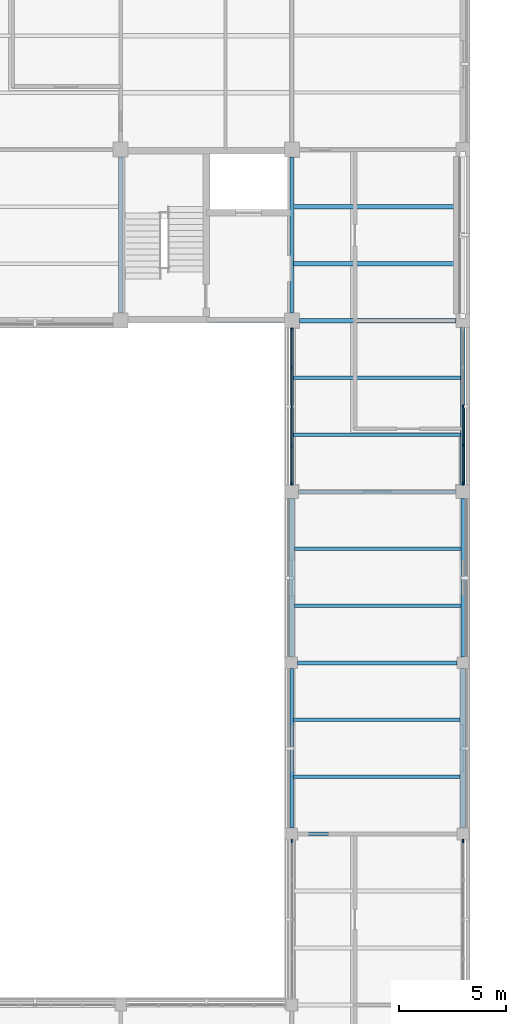
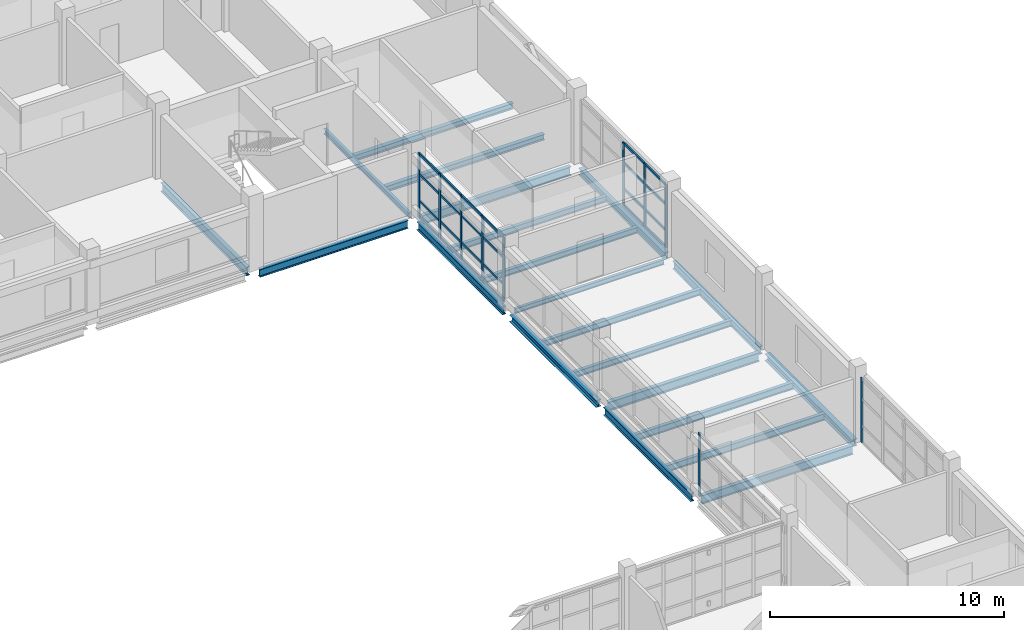
# One storey, part 43 of 92: 34 members, 21 beams, 4 elements without a shape of their own.
"""IFC4 building model written with IfcOpenShell, lengths in metres."""

from ifc_helpers import new_model, si_unit, derived_unit, direction, frame, origin, origin_2d, place, context, subcontext, project, spatial, rectangle, i_section, extrude, material, layer, layer_set, material_profile, profile_set, type_object, element, aggregate, save


model = new_model("IFC4")

# Units and contexts
model_context = context("Model", 3, precision=1e-05, world=origin(), true_north=direction((0.0, 1.0)))
body_context = subcontext(model_context, "Body", "Model", "MODEL_VIEW")
ifc_project = project(units=[si_unit("LENGTHUNIT", "METRE"), si_unit("AREAUNIT", "SQUARE_METRE"), si_unit("VOLUMEUNIT", "CUBIC_METRE"), si_unit("PLANEANGLEUNIT", "RADIAN"), si_unit("MASSUNIT", "GRAM", prefix="KILO"), derived_unit("THERMALTRANSMITTANCEUNIT", [(si_unit("MASSUNIT", "GRAM", prefix="KILO"), 1), (si_unit("TIMEUNIT", "SECOND"), -3), (si_unit("THERMODYNAMICTEMPERATUREUNIT", "KELVIN"), -1)])], contexts=[model_context])

# Site, building, storey
site_placement = place(None, origin())
site = spatial("IfcSite", under=ifc_project, at=site_placement, CompositionType="ELEMENT")
building_placement = place(site_placement, origin())
building = spatial("IfcBuilding", under=site, at=building_placement, Name="Veyamyaing Civic Hall", CompositionType="ELEMENT")
storey_placement = place(building_placement, frame((0.0, 0.0, 17.820068359375)))
storey = spatial("IfcBuildingStorey", under=building, at=storey_placement, Name="L04", CompositionType="ELEMENT", Elevation=17.820068359375)

# Beams
ifc_material_1 = material(Name="Steel ASTM A992", Category="steel")
ifc_material_profile_1 = material_profile(ifc_material_1, i_section(OverallWidth=0.19189453125, OverallDepth=0.462890625, WebThickness=0.010498046875, FlangeThickness=0.017578125, FilletRadius=0.010009765625, at=origin_2d()), Name="W460X89")
ifc_profile_set_1 = profile_set([ifc_material_profile_1], Name="Steel ASTM A992")
beam_type_1 = type_object("IfcBeamType", Name="B-08", PredefinedType="BEAM", material=ifc_profile_set_1)
beam_1_placement = place(storey_placement, frame((168.35009765625, 88.0, -0.466552734375), z_axis=(1.0, 0.0, 0.0), x_axis=(0.0, 1.0, 0.0)))
element("IfcBeam", 1, at=beam_1_placement, inside=storey, type_object=beam_type_1, Name="Girder B-08 L04 Grid M 22-23", PredefinedType="BEAM", context=body_context, shape_type="SweptSolid", body=[
    extrude(i_section(OverallWidth=0.19189453125, OverallDepth=0.462890625, WebThickness=0.010498046875, FlangeThickness=0.017578125, FilletRadius=0.010009765625, at=origin_2d()), origin(), (0.0, 0.0, 1.0), 7.324951171875),
])
ifc_material_profile_2 = material_profile(ifc_material_1, i_section(OverallWidth=0.18994140625, OverallDepth=0.45703125, WebThickness=0.009033203125, FlangeThickness=0.014404296875, FilletRadius=0.010009765625, at=origin_2d()), Name="W460X74")
ifc_profile_set_2 = profile_set([ifc_material_profile_2], Name="Steel ASTM A992")
beam_type_2 = type_object("IfcBeamType", Name="B-09", PredefinedType="BEAM", material=ifc_profile_set_2)
beam_2_placement = place(storey_placement, frame((168.27490234375, 64.0, -0.463623046875), z_axis=(1.0, 0.0, 0.0), x_axis=(0.0, 1.0, 0.0)))
element("IfcBeam", 2, at=beam_2_placement, inside=storey, type_object=beam_type_2, Name="Girder B-09 L04 Grid J 22-23", PredefinedType="BEAM", context=body_context, shape_type="SweptSolid", body=[
    extrude(i_section(OverallWidth=0.18994140625, OverallDepth=0.45703125, WebThickness=0.009033203125, FlangeThickness=0.014404296875, FilletRadius=0.010009765625, at=origin_2d()), origin(), (0.0, 0.0, 1.0), 7.4501953125),
])
beam_3_placement = place(storey_placement, frame((160.0, 88.35009765625, -0.463623046875), z_axis=(0.0, 1.0, 0.0), x_axis=(-1.0, 0.0, 0.0)))
element("IfcBeam", 3, at=beam_3_placement, inside=storey, type_object=beam_type_2, Name="Girder B-09 L04 Grid 21 M-N", PredefinedType="BEAM", context=body_context, shape_type="SweptSolid", body=[
    extrude(i_section(OverallWidth=0.18994140625, OverallDepth=0.45703125, WebThickness=0.009033203125, FlangeThickness=0.014404296875, FilletRadius=0.010009765625, at=origin_2d()), origin(), (0.0, 0.0, 1.0), 7.2998046875),
])
ifc_material_profile_3 = material_profile(ifc_material_1, i_section(OverallWidth=0.179931640625, OverallDepth=0.4130859375, WebThickness=0.009765625, FlangeThickness=0.01611328125, FilletRadius=0.010009765625, at=origin_2d()), Name="W410X74")
ifc_profile_set_3 = profile_set([ifc_material_profile_3], Name="Steel ASTM A992")
beam_type_3 = type_object("IfcBeamType", Name="B-10", PredefinedType="SPANDREL", material=ifc_profile_set_3)
beam_4_placement = place(storey_placement, frame((160.35009765625, 88.0, -0.441650390625), z_axis=(1.0, 0.0, 0.0), x_axis=(0.0, 1.0, 0.0)))
element("IfcBeam", 4, at=beam_4_placement, inside=storey, type_object=beam_type_3, Name="Girder B-10 L04 Grid M 21-22", PredefinedType="SPANDREL", context=body_context, shape_type="SweptSolid", body=[
    extrude(i_section(OverallWidth=0.179931640625, OverallDepth=0.4130859375, WebThickness=0.009765625, FlangeThickness=0.01611328125, FilletRadius=0.010009765625, at=origin_2d()), origin(), (0.0, 0.0, 1.0), 7.2998046875),
])
beam_5_placement = place(storey_placement, frame((168.0, 80.324951171875, -0.441650390625), z_axis=(0.0, 1.0, 0.0), x_axis=(-1.0, 0.0, 0.0)))
element("IfcBeam", 5, at=beam_5_placement, inside=storey, type_object=beam_type_3, Name="Girder B-10 L04 Grid 22 L-M", PredefinedType="SPANDREL", context=body_context, shape_type="SweptSolid", body=[
    extrude(i_section(OverallWidth=0.179931640625, OverallDepth=0.4130859375, WebThickness=0.009765625, FlangeThickness=0.01611328125, FilletRadius=0.010009765625, at=origin_2d()), origin(), (0.0, 0.0, 1.0), 7.324951171875),
])
beam_6_placement = place(storey_placement, frame((176.0, 72.27490234375, -0.441650390625), z_axis=(0.0, 1.0, 0.0), x_axis=(-1.0, 0.0, 0.0)))
element("IfcBeam", 6, at=beam_6_placement, inside=storey, type_object=beam_type_3, Name="Girder B-10 L04 Grid 23 K-L", PredefinedType="SPANDREL", context=body_context, shape_type="SweptSolid", body=[
    extrude(i_section(OverallWidth=0.179931640625, OverallDepth=0.4130859375, WebThickness=0.009765625, FlangeThickness=0.01611328125, FilletRadius=0.010009765625, at=origin_2d()), origin(), (0.0, 0.0, 1.0), 7.400146484375),
])
ifc_material_profile_4 = material_profile(ifc_material_1, i_section(OverallWidth=0.2041015625, OverallDepth=0.35009765625, WebThickness=0.0078125, FlangeThickness=0.01513671875, FilletRadius=0.010009765625, at=origin_2d()), Name="W360X72")
ifc_profile_set_4 = profile_set([ifc_material_profile_4], Name="Steel ASTM A992")
beam_type_4 = type_object("IfcBeamType", Name="B-11", PredefinedType="SPANDREL", material=ifc_profile_set_4)
beam_7_placement = place(storey_placement, frame((176.0, 80.324951171875, -0.41015625), z_axis=(0.0, 1.0, 0.0), x_axis=(-1.0, 0.0, 0.0)))
element("IfcBeam", 7, at=beam_7_placement, inside=storey, type_object=beam_type_4, Name="Girder B-11 L04 Grid 23 L-M", PredefinedType="SPANDREL", context=body_context, shape_type="SweptSolid", body=[
    extrude(i_section(OverallWidth=0.2041015625, OverallDepth=0.35009765625, WebThickness=0.0078125, FlangeThickness=0.01513671875, FilletRadius=0.010009765625, at=origin_2d()), origin(), (0.0, 0.0, 1.0), 7.35009765625),
])
ifc_material_profile_5 = material_profile(ifc_material_1, i_section(OverallWidth=0.14599609375, OverallDepth=0.258056640625, WebThickness=0.006103515625, FlangeThickness=0.009033203125, FilletRadius=0.010009765625, at=origin_2d()), Name="W250X33")
ifc_profile_set_5 = profile_set([ifc_material_profile_5], Name="Steel ASTM A992")
beam_type_5 = type_object("IfcBeamType", Name="B-12", PredefinedType="BEAM", material=ifc_profile_set_5)
beam_8_placement = place(storey_placement, frame((168.324951171875, 80.0, -0.364013671875), z_axis=(1.0, 0.0, 0.0), x_axis=(0.0, 1.0, 0.0)))
element("IfcBeam", 8, at=beam_8_placement, inside=storey, type_object=beam_type_5, Name="Girder B-12 L04 Grid L 22-23", PredefinedType="BEAM", context=body_context, shape_type="SweptSolid", body=[
    extrude(i_section(OverallWidth=0.14599609375, OverallDepth=0.258056640625, WebThickness=0.006103515625, FlangeThickness=0.009033203125, FilletRadius=0.010009765625, at=origin_2d()), origin(), (0.0, 0.0, 1.0), 7.35009765625),
])
beam_9_placement = place(storey_placement, frame((168.0, 88.35009765625, -0.364013671875), z_axis=(0.0, 1.0, 0.0), x_axis=(-1.0, 0.0, 0.0)))
element("IfcBeam", 9, at=beam_9_placement, inside=storey, type_object=beam_type_5, Name="Girder B-12 L04 Grid 22 M-N", PredefinedType="BEAM", context=body_context, shape_type="SweptSolid", body=[
    extrude(i_section(OverallWidth=0.14599609375, OverallDepth=0.258056640625, WebThickness=0.006103515625, FlangeThickness=0.009033203125, FilletRadius=0.010009765625, at=origin_2d()), origin(), (0.0, 0.0, 1.0), 7.2998046875),
])
ifc_material_profile_6 = material_profile(ifc_material_1, i_section(OverallWidth=0.194091796875, OverallDepth=0.468994140625, WebThickness=0.0126953125, FlangeThickness=0.0205078125, FilletRadius=0.010009765625, at=origin_2d()), Name="W460X106")
ifc_profile_set_6 = profile_set([ifc_material_profile_6], Name="Steel ASTM A992")
beam_type_6 = type_object("IfcBeamType", Name="B-18", PredefinedType="BEAM", material=ifc_profile_set_6)
beam_10_placement = place(storey_placement, frame((168.27490234375, 72.0, -0.469482421875), z_axis=(1.0, 0.0, 0.0), x_axis=(0.0, 1.0, 0.0)))
element("IfcBeam", 10, at=beam_10_placement, inside=storey, type_object=beam_type_6, Name="Girder B-18 L04 Grid K 22-23", PredefinedType="BEAM", context=body_context, shape_type="SweptSolid", body=[
    extrude(i_section(OverallWidth=0.194091796875, OverallDepth=0.468994140625, WebThickness=0.0126953125, FlangeThickness=0.0205078125, FilletRadius=0.010009765625, at=origin_2d()), origin(), (0.0, 0.0, 1.0), 7.4501953125),
])
ifc_material_profile_7 = material_profile(ifc_material_1, i_section(OverallWidth=0.180908203125, OverallDepth=0.4169921875, WebThickness=0.010986328125, FlangeThickness=0.018310546875, FilletRadius=0.010009765625, at=origin_2d()), Name="W410X85")
ifc_profile_set_7 = profile_set([ifc_material_profile_7], Name="Steel ASTM A992")
beam_type_7 = type_object("IfcBeamType", Name="B-19", PredefinedType="SPANDREL", material=ifc_profile_set_7)
beam_11_placement = place(storey_placement, frame((168.0, 64.27490234375, -0.443603515625), z_axis=(0.0, 1.0, 0.0), x_axis=(-1.0, 0.0, 0.0)))
element("IfcBeam", 11, at=beam_11_placement, inside=storey, type_object=beam_type_7, Name="Girder B-19 L04 Grid 22 J-K", PredefinedType="SPANDREL", context=body_context, shape_type="SweptSolid", body=[
    extrude(i_section(OverallWidth=0.180908203125, OverallDepth=0.4169921875, WebThickness=0.010986328125, FlangeThickness=0.018310546875, FilletRadius=0.010009765625, at=origin_2d()), origin(), (0.0, 0.0, 1.0), 7.4501953125),
])
ifc_material_profile_8 = material_profile(ifc_material_1, i_section(OverallWidth=0.25390625, OverallDepth=0.35302734375, WebThickness=0.009521484375, FlangeThickness=0.016357421875, FilletRadius=0.011962890625, at=origin_2d()), Name="W360X91")
ifc_profile_set_8 = profile_set([ifc_material_profile_8], Name="Steel ASTM A992")
beam_type_8 = type_object("IfcBeamType", Name="B-20", PredefinedType="SPANDREL", material=ifc_profile_set_8)
beam_12_placement = place(storey_placement, frame((168.0, 72.27490234375, -0.41162109375), z_axis=(0.0, 1.0, 0.0), x_axis=(-1.0, 0.0, 0.0)))
element("IfcBeam", 12, at=beam_12_placement, inside=storey, type_object=beam_type_8, Name="Girder B-20 L04 Grid 22 K-L", PredefinedType="SPANDREL", context=body_context, shape_type="SweptSolid", body=[
    extrude(i_section(OverallWidth=0.25390625, OverallDepth=0.35302734375, WebThickness=0.009521484375, FlangeThickness=0.016357421875, FilletRadius=0.011962890625, at=origin_2d()), origin(), (0.0, 0.0, 1.0), 7.400146484375),
])
beam_13_placement = place(storey_placement, frame((176.0, 64.27490234375, -0.41162109375), z_axis=(0.0, 1.0, 0.0), x_axis=(-1.0, 0.0, 0.0)))
element("IfcBeam", 13, at=beam_13_placement, inside=storey, type_object=beam_type_8, Name="Girder B-20 L04 Grid 23 J-K", PredefinedType="SPANDREL", context=body_context, shape_type="SweptSolid", body=[
    extrude(i_section(OverallWidth=0.25390625, OverallDepth=0.35302734375, WebThickness=0.009521484375, FlangeThickness=0.016357421875, FilletRadius=0.011962890625, at=origin_2d()), origin(), (0.0, 0.0, 1.0), 7.4501953125),
])

# Curtain wall, member
ifc_material_2 = material(Name="Anodised aluminium 6063-T6", Category="aluminium")
ifc_layer = layer(ifc_material_2, 0.159912109375, Name="Anodised aluminium 6063-T6")
ifc_layer_set = layer_set([ifc_layer], Name="Anodised aluminium 6063-T6")
curtain_wall_type = type_object("IfcCurtainWallType", Name="CW-08", PredefinedType="NOTDEFINED", material=ifc_layer_set)
curtain_wall_1_placement = place(storey_placement, origin())
curtain_wall_1 = element("IfcCurtainWall", 14, at=curtain_wall_1_placement, inside=storey, type_object=curtain_wall_type, Name="Unitized curtain wall CW-08 L04 W 22.8", PredefinedType="NOTDEFINED")
ifc_material_profile_9 = material_profile(ifc_material_2, rectangle(XDim=0.06494140625, YDim=0.159912109375, at=origin_2d()), Name="ALU-MUL-65X160")
ifc_profile_set_9 = profile_set([ifc_material_profile_9], Name="Anodised aluminium 6063-T6")
member_type_1 = type_object("IfcMemberType", Name="CWM-01", PredefinedType="MULLION", material=ifc_profile_set_9)
member_1_placement = place(storey_placement, frame((168.0, 63.66259765625, 0.0), z_axis=(0.0, 0.0, 1.0), x_axis=(-1.0, 0.0, 0.0)))
member_1 = element("IfcMember", 15, at=member_1_placement, type_object=member_type_1, Name="CW-08 mullion 5", PredefinedType="MULLION", context=body_context, shape_type="SweptSolid", body=[
    extrude(rectangle(XDim=0.06494140625, YDim=0.159912109375, at=origin_2d()), origin(), (0.0, 0.0, 1.0), 3.284912109375),
])
aggregate(curtain_wall_1, [member_1])

curtain_wall_2_placement = place(storey_placement, origin())
curtain_wall_2 = element("IfcCurtainWall", 16, at=curtain_wall_2_placement, inside=storey, type_object=curtain_wall_type, Name="Unitized curtain wall CW-08 L04 E 22.8", PredefinedType="NOTDEFINED")
member_2_placement = place(storey_placement, frame((176.0, 63.66259765625, 0.0), z_axis=(0.0, 0.0, 1.0), x_axis=(-1.0, 0.0, 0.0)))
member_2 = element("IfcMember", 17, at=member_2_placement, type_object=member_type_1, Name="CW-08 mullion 5", PredefinedType="MULLION", context=body_context, shape_type="SweptSolid", body=[
    extrude(rectangle(XDim=0.06494140625, YDim=0.159912109375, at=origin_2d()), origin(), (0.0, 0.0, 1.0), 3.348876953125),
])
aggregate(curtain_wall_2, [member_2])

# Curtain wall, members
curtain_wall_3_placement = place(storey_placement, origin())
curtain_wall_3 = element("IfcCurtainWall", 18, at=curtain_wall_3_placement, inside=storey, type_object=curtain_wall_type, Name="Unitized curtain wall CW-08 L04 W 22.11", PredefinedType="NOTDEFINED")
member_3_placement = place(storey_placement, frame((168.0, 80.387451171875, 0.0), z_axis=(0.0, 0.0, 1.0), x_axis=(-1.0, 0.0, 0.0)))
member_3 = element("IfcMember", 19, at=member_3_placement, type_object=member_type_1, Name="CW-08 mullion 1", PredefinedType="MULLION", context=body_context, shape_type="SweptSolid", body=[
    extrude(rectangle(XDim=0.06494140625, YDim=0.159912109375, at=origin_2d()), origin(), (0.0, 0.0, 1.0), 3.371826171875),
])
member_4_placement = place(storey_placement, frame((168.0, 82.171142578125, 0.0), z_axis=(0.0, 0.0, 1.0), x_axis=(-1.0, 0.0, 0.0)))
member_4 = element("IfcMember", 20, at=member_4_placement, type_object=member_type_1, Name="CW-08 mullion 2", PredefinedType="MULLION", context=body_context, shape_type="SweptSolid", body=[
    extrude(rectangle(XDim=0.06494140625, YDim=0.159912109375, at=origin_2d()), origin(), (0.0, 0.0, 1.0), 3.371826171875),
])
member_5_placement = place(storey_placement, frame((168.0, 83.987548828125, 0.0), z_axis=(0.0, 0.0, 1.0), x_axis=(-1.0, 0.0, 0.0)))
member_5 = element("IfcMember", 21, at=member_5_placement, type_object=member_type_1, Name="CW-08 mullion 3", PredefinedType="MULLION", context=body_context, shape_type="SweptSolid", body=[
    extrude(rectangle(XDim=0.06494140625, YDim=0.159912109375, at=origin_2d()), origin(), (0.0, 0.0, 1.0), 3.371826171875),
])
member_6_placement = place(storey_placement, frame((168.0, 85.8037109375, 0.0), z_axis=(0.0, 0.0, 1.0), x_axis=(-1.0, 0.0, 0.0)))
member_6 = element("IfcMember", 22, at=member_6_placement, type_object=member_type_1, Name="CW-08 mullion 4", PredefinedType="MULLION", context=body_context, shape_type="SweptSolid", body=[
    extrude(rectangle(XDim=0.06494140625, YDim=0.159912109375, at=origin_2d()), origin(), (0.0, 0.0, 1.0), 3.371826171875),
])
member_7_placement = place(storey_placement, frame((168.0, 87.58740234375, 0.0), z_axis=(0.0, 0.0, 1.0), x_axis=(-1.0, 0.0, 0.0)))
member_7 = element("IfcMember", 23, at=member_7_placement, type_object=member_type_1, Name="CW-08 mullion 5", PredefinedType="MULLION", context=body_context, shape_type="SweptSolid", body=[
    extrude(rectangle(XDim=0.06494140625, YDim=0.159912109375, at=origin_2d()), origin(), (0.0, 0.0, 1.0), 3.371826171875),
])

curtain_wall_4_placement = place(storey_placement, origin())
curtain_wall_4 = element("IfcCurtainWall", 24, at=curtain_wall_4_placement, inside=storey, type_object=curtain_wall_type, Name="Unitized curtain wall CW-08 L04 E 22.11", PredefinedType="NOTDEFINED")
member_8_placement = place(storey_placement, frame((176.0, 80.387451171875, 0.0), z_axis=(0.0, 0.0, 1.0), x_axis=(-1.0, 0.0, 0.0)))
member_8 = element("IfcMember", 25, at=member_8_placement, type_object=member_type_1, Name="CW-08 mullion 1", PredefinedType="MULLION", context=body_context, shape_type="SweptSolid", body=[
    extrude(rectangle(XDim=0.06494140625, YDim=0.159912109375, at=origin_2d()), origin(), (0.0, 0.0, 1.0), 3.304931640625),
])
member_9_placement = place(storey_placement, frame((176.0, 82.177490234375, 0.0), z_axis=(0.0, 0.0, 1.0), x_axis=(-1.0, 0.0, 0.0)))
member_9 = element("IfcMember", 26, at=member_9_placement, type_object=member_type_1, Name="CW-08 mullion 2", PredefinedType="MULLION", context=body_context, shape_type="SweptSolid", body=[
    extrude(rectangle(XDim=0.06494140625, YDim=0.159912109375, at=origin_2d()), origin(), (0.0, 0.0, 1.0), 3.304931640625),
])
member_10_placement = place(storey_placement, frame((176.0, 84.0, 0.0), z_axis=(0.0, 0.0, 1.0), x_axis=(-1.0, 0.0, 0.0)))
member_10 = element("IfcMember", 27, at=member_10_placement, type_object=member_type_1, Name="CW-08 mullion 3", PredefinedType="MULLION", context=body_context, shape_type="SweptSolid", body=[
    extrude(rectangle(XDim=0.06494140625, YDim=0.159912109375, at=origin_2d()), origin(), (0.0, 0.0, 1.0), 3.304931640625),
])

# Member
ifc_material_profile_10 = material_profile(ifc_material_2, rectangle(XDim=0.06494140625, YDim=0.1201171875, at=origin_2d()), Name="ALU-TRN-65X120")
ifc_profile_set_10 = profile_set([ifc_material_profile_10], Name="Anodised aluminium 6063-T6")
member_type_2 = type_object("IfcMemberType", Name="CWT-01", PredefinedType="USERDEFINED", material=ifc_profile_set_10)
member_11_placement = place(storey_placement, frame((168.0, 80.419921875, 0.032470703125), z_axis=(0.0, 1.0, 0.0), x_axis=(-1.0, 0.0, 0.0)))
member_11 = element("IfcMember", 28, at=member_11_placement, type_object=member_type_2, Name="CW-08 transom 1.1", ObjectType="TRANSOM", PredefinedType="USERDEFINED", context=body_context, shape_type="SweptSolid", body=[
    extrude(rectangle(XDim=0.06494140625, YDim=0.1201171875, at=origin_2d()), origin(), (0.0, 0.0, 1.0), 1.71875),
])

member_12_placement = place(storey_placement, frame((168.0, 80.419921875, 0.89990234375), z_axis=(0.0, 1.0, 0.0), x_axis=(-1.0, 0.0, 0.0)))
member_12 = element("IfcMember", 29, at=member_12_placement, type_object=member_type_2, Name="CW-08 transom 1.2", ObjectType="TRANSOM", PredefinedType="USERDEFINED", context=body_context, shape_type="SweptSolid", body=[
    extrude(rectangle(XDim=0.06494140625, YDim=0.1201171875, at=origin_2d()), origin(), (0.0, 0.0, 1.0), 1.71875),
])

member_13_placement = place(storey_placement, frame((168.0, 80.419921875, 2.29296875), z_axis=(0.0, 1.0, 0.0), x_axis=(-1.0, 0.0, 0.0)))
member_13 = element("IfcMember", 30, at=member_13_placement, type_object=member_type_2, Name="CW-08 transom 1.3", ObjectType="TRANSOM", PredefinedType="USERDEFINED", context=body_context, shape_type="SweptSolid", body=[
    extrude(rectangle(XDim=0.06494140625, YDim=0.1201171875, at=origin_2d()), origin(), (0.0, 0.0, 1.0), 1.71875),
])

member_14_placement = place(storey_placement, frame((168.0, 80.419921875, 3.33935546875), z_axis=(0.0, 1.0, 0.0), x_axis=(-1.0, 0.0, 0.0)))
member_14 = element("IfcMember", 31, at=member_14_placement, type_object=member_type_2, Name="CW-08 transom 1.4", ObjectType="TRANSOM", PredefinedType="USERDEFINED", context=body_context, shape_type="SweptSolid", body=[
    extrude(rectangle(XDim=0.06494140625, YDim=0.1201171875, at=origin_2d()), origin(), (0.0, 0.0, 1.0), 1.71875),
])

member_15_placement = place(storey_placement, frame((168.0, 82.203857421875, 0.032470703125), z_axis=(0.0, 1.0, 0.0), x_axis=(-1.0, 0.0, 0.0)))
member_15 = element("IfcMember", 32, at=member_15_placement, type_object=member_type_2, Name="CW-08 transom 2.1", ObjectType="TRANSOM", PredefinedType="USERDEFINED", context=body_context, shape_type="SweptSolid", body=[
    extrude(rectangle(XDim=0.06494140625, YDim=0.1201171875, at=origin_2d()), origin(), (0.0, 0.0, 1.0), 1.751220703125),
])

member_16_placement = place(storey_placement, frame((168.0, 82.203857421875, 0.89990234375), z_axis=(0.0, 1.0, 0.0), x_axis=(-1.0, 0.0, 0.0)))
member_16 = element("IfcMember", 33, at=member_16_placement, type_object=member_type_2, Name="CW-08 transom 2.2", ObjectType="TRANSOM", PredefinedType="USERDEFINED", context=body_context, shape_type="SweptSolid", body=[
    extrude(rectangle(XDim=0.06494140625, YDim=0.1201171875, at=origin_2d()), origin(), (0.0, 0.0, 1.0), 1.751220703125),
])

member_17_placement = place(storey_placement, frame((168.0, 82.203857421875, 2.29296875), z_axis=(0.0, 1.0, 0.0), x_axis=(-1.0, 0.0, 0.0)))
member_17 = element("IfcMember", 34, at=member_17_placement, type_object=member_type_2, Name="CW-08 transom 2.3", ObjectType="TRANSOM", PredefinedType="USERDEFINED", context=body_context, shape_type="SweptSolid", body=[
    extrude(rectangle(XDim=0.06494140625, YDim=0.1201171875, at=origin_2d()), origin(), (0.0, 0.0, 1.0), 1.751220703125),
])

member_18_placement = place(storey_placement, frame((168.0, 82.203857421875, 3.33935546875), z_axis=(0.0, 1.0, 0.0), x_axis=(-1.0, 0.0, 0.0)))
member_18 = element("IfcMember", 35, at=member_18_placement, type_object=member_type_2, Name="CW-08 transom 2.4", ObjectType="TRANSOM", PredefinedType="USERDEFINED", context=body_context, shape_type="SweptSolid", body=[
    extrude(rectangle(XDim=0.06494140625, YDim=0.1201171875, at=origin_2d()), origin(), (0.0, 0.0, 1.0), 1.751220703125),
])

member_19_placement = place(storey_placement, frame((168.0, 84.02001953125, 0.032470703125), z_axis=(0.0, 1.0, 0.0), x_axis=(-1.0, 0.0, 0.0)))
member_19 = element("IfcMember", 36, at=member_19_placement, type_object=member_type_2, Name="CW-08 transom 3.1", ObjectType="TRANSOM", PredefinedType="USERDEFINED", context=body_context, shape_type="SweptSolid", body=[
    extrude(rectangle(XDim=0.06494140625, YDim=0.1201171875, at=origin_2d()), origin(), (0.0, 0.0, 1.0), 1.751220703125),
])

member_20_placement = place(storey_placement, frame((168.0, 84.02001953125, 0.89990234375), z_axis=(0.0, 1.0, 0.0), x_axis=(-1.0, 0.0, 0.0)))
member_20 = element("IfcMember", 37, at=member_20_placement, type_object=member_type_2, Name="CW-08 transom 3.2", ObjectType="TRANSOM", PredefinedType="USERDEFINED", context=body_context, shape_type="SweptSolid", body=[
    extrude(rectangle(XDim=0.06494140625, YDim=0.1201171875, at=origin_2d()), origin(), (0.0, 0.0, 1.0), 1.751220703125),
])

member_21_placement = place(storey_placement, frame((168.0, 84.02001953125, 2.29296875), z_axis=(0.0, 1.0, 0.0), x_axis=(-1.0, 0.0, 0.0)))
member_21 = element("IfcMember", 38, at=member_21_placement, type_object=member_type_2, Name="CW-08 transom 3.3", ObjectType="TRANSOM", PredefinedType="USERDEFINED", context=body_context, shape_type="SweptSolid", body=[
    extrude(rectangle(XDim=0.06494140625, YDim=0.1201171875, at=origin_2d()), origin(), (0.0, 0.0, 1.0), 1.751220703125),
])

member_22_placement = place(storey_placement, frame((168.0, 84.02001953125, 3.33935546875), z_axis=(0.0, 1.0, 0.0), x_axis=(-1.0, 0.0, 0.0)))
member_22 = element("IfcMember", 39, at=member_22_placement, type_object=member_type_2, Name="CW-08 transom 3.4", ObjectType="TRANSOM", PredefinedType="USERDEFINED", context=body_context, shape_type="SweptSolid", body=[
    extrude(rectangle(XDim=0.06494140625, YDim=0.1201171875, at=origin_2d()), origin(), (0.0, 0.0, 1.0), 1.751220703125),
])

member_23_placement = place(storey_placement, frame((168.0, 85.836181640625, 0.032470703125), z_axis=(0.0, 1.0, 0.0), x_axis=(-1.0, 0.0, 0.0)))
member_23 = element("IfcMember", 40, at=member_23_placement, type_object=member_type_2, Name="CW-08 transom 4.1", ObjectType="TRANSOM", PredefinedType="USERDEFINED", context=body_context, shape_type="SweptSolid", body=[
    extrude(rectangle(XDim=0.06494140625, YDim=0.1201171875, at=origin_2d()), origin(), (0.0, 0.0, 1.0), 1.71875),
])

member_24_placement = place(storey_placement, frame((168.0, 85.836181640625, 0.89990234375), z_axis=(0.0, 1.0, 0.0), x_axis=(-1.0, 0.0, 0.0)))
member_24 = element("IfcMember", 41, at=member_24_placement, type_object=member_type_2, Name="CW-08 transom 4.2", ObjectType="TRANSOM", PredefinedType="USERDEFINED", context=body_context, shape_type="SweptSolid", body=[
    extrude(rectangle(XDim=0.06494140625, YDim=0.1201171875, at=origin_2d()), origin(), (0.0, 0.0, 1.0), 1.71875),
])

member_25_placement = place(storey_placement, frame((168.0, 85.836181640625, 2.29296875), z_axis=(0.0, 1.0, 0.0), x_axis=(-1.0, 0.0, 0.0)))
member_25 = element("IfcMember", 42, at=member_25_placement, type_object=member_type_2, Name="CW-08 transom 4.3", ObjectType="TRANSOM", PredefinedType="USERDEFINED", context=body_context, shape_type="SweptSolid", body=[
    extrude(rectangle(XDim=0.06494140625, YDim=0.1201171875, at=origin_2d()), origin(), (0.0, 0.0, 1.0), 1.71875),
])

member_26_placement = place(storey_placement, frame((168.0, 85.836181640625, 3.33935546875), z_axis=(0.0, 1.0, 0.0), x_axis=(-1.0, 0.0, 0.0)))
member_26 = element("IfcMember", 43, at=member_26_placement, type_object=member_type_2, Name="CW-08 transom 4.4", ObjectType="TRANSOM", PredefinedType="USERDEFINED", context=body_context, shape_type="SweptSolid", body=[
    extrude(rectangle(XDim=0.06494140625, YDim=0.1201171875, at=origin_2d()), origin(), (0.0, 0.0, 1.0), 1.71875),
])

aggregate(curtain_wall_3, [member_3, member_4, member_5, member_6, member_7, member_11, member_12, member_13, member_14, member_15, member_16, member_17, member_18, member_19, member_20, member_21, member_22, member_23, member_24, member_25, member_26])

member_27_placement = place(storey_placement, frame((176.0, 80.419921875, 0.032470703125), z_axis=(0.0, 1.0, 0.0), x_axis=(-1.0, 0.0, 0.0)))
member_27 = element("IfcMember", 44, at=member_27_placement, type_object=member_type_2, Name="CW-08 transom 1.1", ObjectType="TRANSOM", PredefinedType="USERDEFINED", context=body_context, shape_type="SweptSolid", body=[
    extrude(rectangle(XDim=0.06494140625, YDim=0.1201171875, at=origin_2d()), origin(), (0.0, 0.0, 1.0), 1.72509765625),
])

member_28_placement = place(storey_placement, frame((176.0, 80.419921875, 0.89990234375), z_axis=(0.0, 1.0, 0.0), x_axis=(-1.0, 0.0, 0.0)))
member_28 = element("IfcMember", 45, at=member_28_placement, type_object=member_type_2, Name="CW-08 transom 1.2", ObjectType="TRANSOM", PredefinedType="USERDEFINED", context=body_context, shape_type="SweptSolid", body=[
    extrude(rectangle(XDim=0.06494140625, YDim=0.1201171875, at=origin_2d()), origin(), (0.0, 0.0, 1.0), 1.72509765625),
])

member_29_placement = place(storey_placement, frame((176.0, 80.419921875, 2.247314453125), z_axis=(0.0, 1.0, 0.0), x_axis=(-1.0, 0.0, 0.0)))
member_29 = element("IfcMember", 46, at=member_29_placement, type_object=member_type_2, Name="CW-08 transom 1.3", ObjectType="TRANSOM", PredefinedType="USERDEFINED", context=body_context, shape_type="SweptSolid", body=[
    extrude(rectangle(XDim=0.06494140625, YDim=0.1201171875, at=origin_2d()), origin(), (0.0, 0.0, 1.0), 1.72509765625),
])

member_30_placement = place(storey_placement, frame((176.0, 80.419921875, 3.2724609375), z_axis=(0.0, 1.0, 0.0), x_axis=(-1.0, 0.0, 0.0)))
member_30 = element("IfcMember", 47, at=member_30_placement, type_object=member_type_2, Name="CW-08 transom 1.4", ObjectType="TRANSOM", PredefinedType="USERDEFINED", context=body_context, shape_type="SweptSolid", body=[
    extrude(rectangle(XDim=0.06494140625, YDim=0.1201171875, at=origin_2d()), origin(), (0.0, 0.0, 1.0), 1.72509765625),
])

member_31_placement = place(storey_placement, frame((176.0, 82.2099609375, 0.032470703125), z_axis=(0.0, 1.0, 0.0), x_axis=(-1.0, 0.0, 0.0)))
member_31 = element("IfcMember", 48, at=member_31_placement, type_object=member_type_2, Name="CW-08 transom 2.1", ObjectType="TRANSOM", PredefinedType="USERDEFINED", context=body_context, shape_type="SweptSolid", body=[
    extrude(rectangle(XDim=0.06494140625, YDim=0.1201171875, at=origin_2d()), origin(), (0.0, 0.0, 1.0), 1.757568359375),
])

member_32_placement = place(storey_placement, frame((176.0, 82.2099609375, 0.89990234375), z_axis=(0.0, 1.0, 0.0), x_axis=(-1.0, 0.0, 0.0)))
member_32 = element("IfcMember", 49, at=member_32_placement, type_object=member_type_2, Name="CW-08 transom 2.2", ObjectType="TRANSOM", PredefinedType="USERDEFINED", context=body_context, shape_type="SweptSolid", body=[
    extrude(rectangle(XDim=0.06494140625, YDim=0.1201171875, at=origin_2d()), origin(), (0.0, 0.0, 1.0), 1.757568359375),
])

member_33_placement = place(storey_placement, frame((176.0, 82.2099609375, 2.247314453125), z_axis=(0.0, 1.0, 0.0), x_axis=(-1.0, 0.0, 0.0)))
member_33 = element("IfcMember", 50, at=member_33_placement, type_object=member_type_2, Name="CW-08 transom 2.3", ObjectType="TRANSOM", PredefinedType="USERDEFINED", context=body_context, shape_type="SweptSolid", body=[
    extrude(rectangle(XDim=0.06494140625, YDim=0.1201171875, at=origin_2d()), origin(), (0.0, 0.0, 1.0), 1.757568359375),
])

member_34_placement = place(storey_placement, frame((176.0, 82.2099609375, 3.2724609375), z_axis=(0.0, 1.0, 0.0), x_axis=(-1.0, 0.0, 0.0)))
member_34 = element("IfcMember", 51, at=member_34_placement, type_object=member_type_2, Name="CW-08 transom 2.4", ObjectType="TRANSOM", PredefinedType="USERDEFINED", context=body_context, shape_type="SweptSolid", body=[
    extrude(rectangle(XDim=0.06494140625, YDim=0.1201171875, at=origin_2d()), origin(), (0.0, 0.0, 1.0), 1.757568359375),
])

aggregate(curtain_wall_4, [member_8, member_9, member_10, member_27, member_28, member_29, member_30, member_31, member_32, member_33, member_34])

# Beams
ifc_material_profile_11 = material_profile(ifc_material_1, i_section(OverallWidth=0.1708984375, OverallDepth=0.35205078125, WebThickness=0.0068359375, FlangeThickness=0.009765625, FilletRadius=0.010009765625, at=origin_2d()), Name="W360X44")
ifc_profile_set_11 = profile_set([ifc_material_profile_11], Name="Steel ASTM A992")
beam_type_9 = type_object("IfcBeamType", Name="J-03", PredefinedType="JOIST", material=ifc_profile_set_11)
for number, where, z_axis, x_axis, name in (
    (52, (168.08837890625, 66.666748046875, -0.4111328125), (1.0, 0.0, 0.0), (0.0, 1.0, 0.0), "Composite floor joist J-03 L04 22.9.1"),
    (53, (168.08837890625, 69.333251953125, -0.4111328125), (1.0, 0.0, 0.0), (0.0, 1.0, 0.0), "Composite floor joist J-03 L04 22.9.2"),
):
    element("IfcBeam", number, at=place(storey_placement, frame(where, z_axis=z_axis, x_axis=x_axis)), inside=storey, type_object=beam_type_9, Name=name, PredefinedType="JOIST", context=body_context, shape_type="SweptSolid", body=[
        extrude(i_section(OverallWidth=0.1708984375, OverallDepth=0.35205078125, WebThickness=0.0068359375, FlangeThickness=0.009765625, FilletRadius=0.010009765625, at=origin_2d()), origin(), (0.0, 0.0, 1.0), 7.78662109375),
    ])
ifc_material_profile_12 = material_profile(ifc_material_1, i_section(OverallWidth=0.1669921875, OverallDepth=0.318115234375, WebThickness=0.007568359375, FlangeThickness=0.01318359375, FilletRadius=0.010009765625, at=origin_2d()), Name="W310X52")
ifc_profile_set_12 = profile_set([ifc_material_profile_12], Name="Steel ASTM A992")
beam_type_10 = type_object("IfcBeamType", Name="J-04", PredefinedType="JOIST", material=ifc_profile_set_12)
for number, where, z_axis, x_axis, name in (
    (54, (168.125, 74.666748046875, -0.39404296875), (1.0, 0.0, 0.0), (0.0, 1.0, 0.0), "Composite floor joist J-04 L04 22.10.1"),
    (55, (168.125, 77.333251953125, -0.39404296875), (1.0, 0.0, 0.0), (0.0, 1.0, 0.0), "Composite floor joist J-04 L04 22.10.2"),
):
    element("IfcBeam", number, at=place(storey_placement, frame(where, z_axis=z_axis, x_axis=x_axis)), inside=storey, type_object=beam_type_10, Name=name, PredefinedType="JOIST", context=body_context, shape_type="SweptSolid", body=[
        extrude(i_section(OverallWidth=0.1669921875, OverallDepth=0.318115234375, WebThickness=0.007568359375, FlangeThickness=0.01318359375, FilletRadius=0.010009765625, at=origin_2d()), origin(), (0.0, 0.0, 1.0), 7.787109375),
    ])
ifc_material_profile_13 = material_profile(ifc_material_1, i_section(OverallWidth=0.1650390625, OverallDepth=0.31005859375, WebThickness=0.005859375, FlangeThickness=0.009765625, FilletRadius=0.010009765625, at=origin_2d()), Name="W310X39")
ifc_profile_set_13 = profile_set([ifc_material_profile_13], Name="Steel ASTM A992")
beam_type_11 = type_object("IfcBeamType", Name="J-05", PredefinedType="JOIST", material=ifc_profile_set_13)
for number, where, z_axis, x_axis, name in (
    (56, (168.087890625, 82.666748046875, -0.39013671875), (1.0, 0.0, 0.0), (0.0, 1.0, 0.0), "Composite floor joist J-05 L04 22.11.1"),
    (57, (168.087890625, 85.333251953125, -0.39013671875), (1.0, 0.0, 0.0), (0.0, 1.0, 0.0), "Composite floor joist J-05 L04 22.11.2"),
):
    element("IfcBeam", number, at=place(storey_placement, frame(where, z_axis=z_axis, x_axis=x_axis)), inside=storey, type_object=beam_type_11, Name=name, PredefinedType="JOIST", context=body_context, shape_type="SweptSolid", body=[
        extrude(i_section(OverallWidth=0.1650390625, OverallDepth=0.31005859375, WebThickness=0.005859375, FlangeThickness=0.009765625, FilletRadius=0.010009765625, at=origin_2d()), origin(), (0.0, 0.0, 1.0), 7.81201171875),
    ])
ifc_material_profile_14 = material_profile(ifc_material_1, i_section(OverallWidth=0.2041015625, OverallDepth=0.305908203125, WebThickness=0.008544921875, FlangeThickness=0.0146484375, FilletRadius=0.010009765625, at=origin_2d()), Name="W310X67")
ifc_profile_set_14 = profile_set([ifc_material_profile_14], Name="Steel ASTM A992")
beam_type_12 = type_object("IfcBeamType", Name="J-06", PredefinedType="JOIST", material=ifc_profile_set_14)
for number, where, z_axis, x_axis, name in (
    (58, (168.071044921875, 90.666748046875, -0.38818359375), (1.0, 0.0, 0.0), (0.0, 1.0, 0.0), "Composite floor joist J-06 L04 22.12.1"),
    (59, (168.071044921875, 93.333251953125, -0.38818359375), (1.0, 0.0, 0.0), (0.0, 1.0, 0.0), "Composite floor joist J-06 L04 22.12.2"),
):
    element("IfcBeam", number, at=place(storey_placement, frame(where, z_axis=z_axis, x_axis=x_axis)), inside=storey, type_object=beam_type_12, Name=name, PredefinedType="JOIST", context=body_context, shape_type="SweptSolid", body=[
        extrude(i_section(OverallWidth=0.2041015625, OverallDepth=0.305908203125, WebThickness=0.008544921875, FlangeThickness=0.0146484375, FilletRadius=0.010009765625, at=origin_2d()), origin(), (0.0, 0.0, 1.0), 7.840576171875),
    ])

save(model, "model.ifc")
